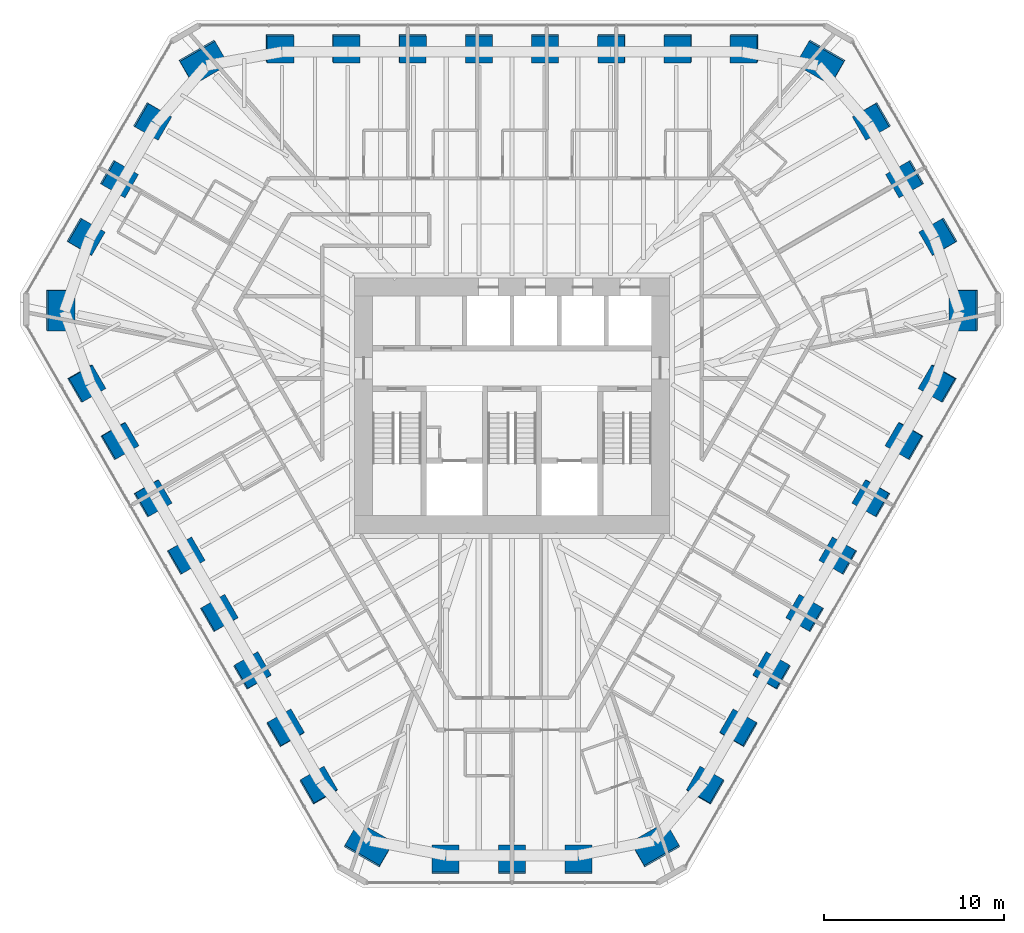
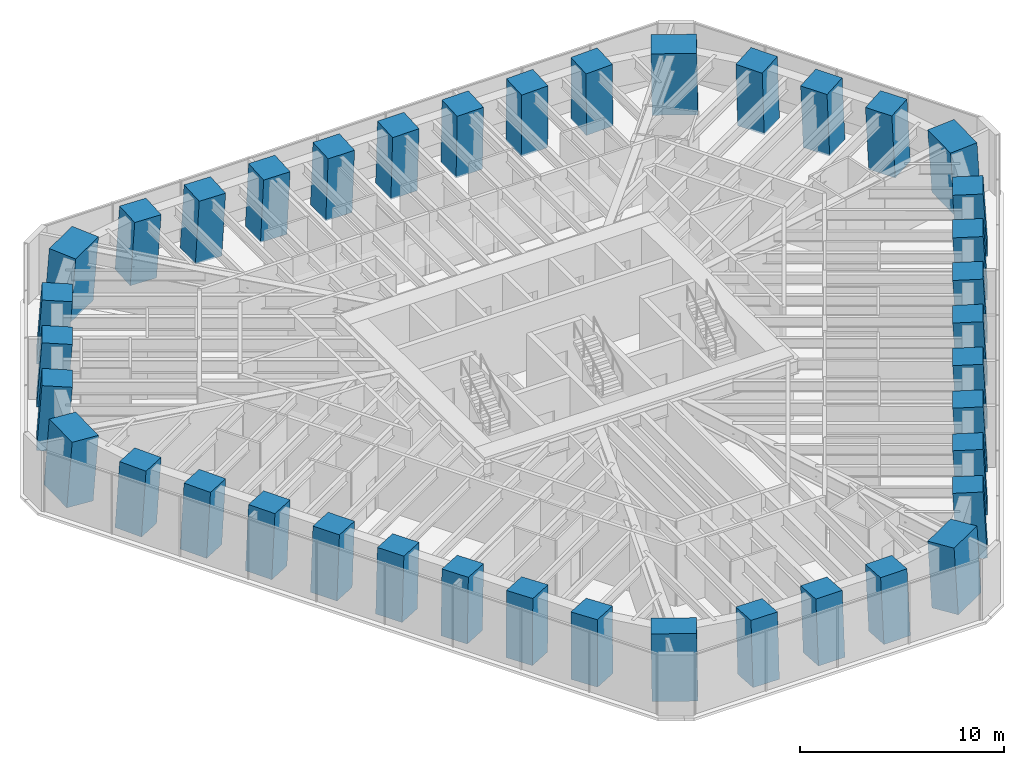
# One storey, part 1 of 17: 39 columns.
"""IFC4 building model written with IfcOpenShell, lengths in metres."""

from ifc_helpers import new_model, si_unit, direction, frame, origin, origin_2d, place, context, subcontext, project, spatial, rectangle, extrude, material, material_profile, profile_set, type_object, element, save


model = new_model("IFC4")

# Units and contexts
model_context = context("Model", 3, precision=1e-05, world=origin(), true_north=direction((0.0, 1.0)))
body_context = subcontext(model_context, "Body", "Model", "MODEL_VIEW")
ifc_project = project(units=[si_unit("LENGTHUNIT", "METRE"), si_unit("AREAUNIT", "SQUARE_METRE"), si_unit("VOLUMEUNIT", "CUBIC_METRE"), si_unit("PLANEANGLEUNIT", "RADIAN"), si_unit("MASSUNIT", "GRAM", prefix="KILO")], contexts=[model_context])

# Site, building, storey
site_placement = place(None, origin())
site = spatial("IfcSite", under=ifc_project, at=site_placement, CompositionType="ELEMENT")
building_placement = place(site_placement, origin())
building = spatial("IfcBuilding", under=site, at=building_placement, Name="Sandreach Pilgrim Tower", CompositionType="ELEMENT")
storey_placement = place(building_placement, frame((0.0, 0.0, 232.60009765625)))
storey = spatial("IfcBuildingStorey", under=building, at=storey_placement, Name="L58", CompositionType="ELEMENT", Elevation=232.60009765625)

# Columns
ifc_material_1 = material(Name="Concrete 10000 psi", Category="concrete")
ifc_material_profile_1 = material_profile(ifc_material_1, rectangle(XDim=1.5, YDim=1.5, at=origin_2d()), Name="RC1500X1500")
ifc_profile_set_1 = profile_set([ifc_material_profile_1], Name="Concrete 10000 psi")
column_type_1 = type_object("IfcColumnType", Name="Raked tube column RC1500X1500", PredefinedType="COLUMN", material=ifc_profile_set_1)
column_1_placement = place(storey_placement, frame((-12.923828125, 19.900146484375, -0.067626953125), z_axis=(0.035465370418, -0.05455241702, 0.997880875304), x_axis=(0.001454113511, 0.998510791345, 0.054535173247)))
element("IfcColumn", 1, at=column_1_placement, inside=storey, type_object=column_type_1, Name="COL L58 T01", PredefinedType="COLUMN", context=body_context, shape_type="SweptSolid", body=[
    extrude(rectangle(XDim=1.5, YDim=1.5, at=origin_2d()), origin(), (0.0, 0.0, 1.0), 3.875732421875),
])
column_2_placement = place(storey_placement, frame((-9.231201171875, 19.900146484375, -0.06005859375), z_axis=(0.025317785915, -0.054550042471, 0.998190013265), x_axis=(0.001183738063, 0.998511018064, 0.054537561078)))
element("IfcColumn", 2, at=column_2_placement, inside=storey, type_object=column_type_1, Name="COL L58 T02", PredefinedType="COLUMN", context=body_context, shape_type="SweptSolid", body=[
    extrude(rectangle(XDim=1.5, YDim=1.5, at=origin_2d()), origin(), (0.0, 0.0, 1.0), 3.866943359375),
])
column_3_placement = place(storey_placement, frame((-5.538818359375, 19.900146484375, -0.052490234375), z_axis=(0.015185639925, -0.05460503023, 0.998392551562), x_axis=(0.001041133869, 0.998508010187, 0.054595509263)))
element("IfcColumn", 3, at=column_3_placement, inside=storey, type_object=column_type_1, Name="COL L58 T03", PredefinedType="COLUMN", context=body_context, shape_type="SweptSolid", body=[
    extrude(rectangle(XDim=1.5, YDim=1.5, at=origin_2d()), origin(), (0.0, 0.0, 1.0), 3.8583984375),
])
for number, where, z_axis, x_axis, name in (
    (4, (-1.84619140625, 19.900146484375, -0.044921875), (0.005072369293, -0.054591374514, 0.998495895284), (0.000138637847, 0.998508769442, 0.054591374109), "COL L58 T04"),
    (5, (1.84619140625, 19.900146484375, -0.044921875), (-0.005072369293, -0.054591374514, 0.998495895284), (-0.000138637847, 0.998508769442, 0.054591374109), "COL L58 T05"),
):
    element("IfcColumn", number, at=place(storey_placement, frame(where, z_axis=z_axis, x_axis=x_axis)), inside=storey, type_object=column_type_1, Name=name, PredefinedType="COLUMN", context=body_context, shape_type="SweptSolid", body=[
        extrude(rectangle(XDim=1.5, YDim=1.5, at=origin_2d()), origin(), (0.0, 0.0, 1.0), 3.8505859375),
    ])
column_4_placement = place(storey_placement, frame((5.538818359375, 19.900146484375, -0.052490234375), z_axis=(-0.015185639925, -0.05460503023, 0.998392551562), x_axis=(-0.001041133869, 0.998508010187, 0.054595509263)))
element("IfcColumn", 6, at=column_4_placement, inside=storey, type_object=column_type_1, Name="COL L58 T06", PredefinedType="COLUMN", context=body_context, shape_type="SweptSolid", body=[
    extrude(rectangle(XDim=1.5, YDim=1.5, at=origin_2d()), origin(), (0.0, 0.0, 1.0), 3.8583984375),
])
column_5_placement = place(storey_placement, frame((9.231201171875, 19.900146484375, -0.06005859375), z_axis=(-0.025317785915, -0.054550042471, 0.998190013265), x_axis=(-0.001183738063, 0.998511018064, 0.054537561078)))
element("IfcColumn", 7, at=column_5_placement, inside=storey, type_object=column_type_1, Name="COL L58 T07", PredefinedType="COLUMN", context=body_context, shape_type="SweptSolid", body=[
    extrude(rectangle(XDim=1.5, YDim=1.5, at=origin_2d()), origin(), (0.0, 0.0, 1.0), 3.866943359375),
])
column_6_placement = place(storey_placement, frame((12.923828125, 19.900146484375, -0.067626953125), z_axis=(-0.035465370418, -0.05455241702, 0.997880875304), x_axis=(-0.001454113511, 0.998510791345, 0.054535173247)))
element("IfcColumn", 8, at=column_6_placement, inside=storey, type_object=column_type_1, Name="COL L58 T08", PredefinedType="COLUMN", context=body_context, shape_type="SweptSolid", body=[
    extrude(rectangle(XDim=1.5, YDim=1.5, at=origin_2d()), origin(), (0.0, 0.0, 1.0), 3.875732421875),
])
column_7_placement = place(storey_placement, frame((20.025146484375, 15.845947265625, -0.058837890625), z_axis=(-0.054031269339, -0.042795795107, 0.997621742874), x_axis=(0.86412054036, 0.498643763079, 0.068191563044)))
element("IfcColumn", 9, at=column_7_placement, inside=storey, type_object=column_type_1, Name="COL L58 T10", PredefinedType="COLUMN", context=body_context, shape_type="SweptSolid", body=[
    extrude(rectangle(XDim=1.5, YDim=1.5, at=origin_2d()), origin(), (0.0, 0.0, 1.0), 3.867919921875),
])
column_8_placement = place(storey_placement, frame((21.88037109375, 12.632568359375, -0.05126953125), z_axis=(-0.059073478929, -0.034090583664, 0.99767136683), x_axis=(0.86410694155, 0.498665569053, 0.068204426596)))
element("IfcColumn", 10, at=column_8_placement, inside=storey, type_object=column_type_1, Name="COL L58 T11", PredefinedType="COLUMN", context=body_context, shape_type="SweptSolid", body=[
    extrude(rectangle(XDim=1.5, YDim=1.5, at=origin_2d()), origin(), (0.0, 0.0, 1.0), 3.860107421875),
])
column_9_placement = place(storey_placement, frame((23.7353515625, 9.419189453125, -0.058837890625), z_axis=(-0.064004664797, -0.025374630423, 0.997626949824), x_axis=(0.863841955807, 0.499136409128, 0.068116961699)))
element("IfcColumn", 11, at=column_9_placement, inside=storey, type_object=column_type_1, Name="COL L58 T12", PredefinedType="COLUMN", context=body_context, shape_type="SweptSolid", body=[
    extrude(rectangle(XDim=1.5, YDim=1.5, at=origin_2d()), origin(), (0.0, 0.0, 1.0), 3.867919921875),
])
column_10_placement = place(storey_placement, frame((23.69580078125, 1.2421875, -0.067626953125), z_axis=(-0.064946488334, -0.003401658943, 0.997882950235), x_axis=(0.86374544839, -0.500971680077, 0.05450849609)))
element("IfcColumn", 12, at=column_10_placement, inside=storey, type_object=column_type_1, Name="COL L58 T14", PredefinedType="COLUMN", context=body_context, shape_type="SweptSolid", body=[
    extrude(rectangle(XDim=1.5, YDim=1.5, at=origin_2d()), origin(), (0.0, 0.0, 1.0), 3.875732421875),
])
column_11_placement = place(storey_placement, frame((21.849609375, -1.95556640625, -0.06005859375), z_axis=(-0.059916592272, 0.005366607316, 0.998188960817), x_axis=(0.864010481445, -0.500509554821, 0.054553400319)))
element("IfcColumn", 13, at=column_11_placement, inside=storey, type_object=column_type_1, Name="COL L58 T15", PredefinedType="COLUMN", context=body_context, shape_type="SweptSolid", body=[
    extrude(rectangle(XDim=1.5, YDim=1.5, at=origin_2d()), origin(), (0.0, 0.0, 1.0), 3.866943359375),
])
column_12_placement = place(storey_placement, frame((20.00341796875, -5.1533203125, -0.052490234375), z_axis=(-0.054858228661, 0.014110017291, 0.998394452188), x_axis=(0.86451511653, -0.499636332881, 0.054563249145)))
element("IfcColumn", 14, at=column_12_placement, inside=storey, type_object=column_type_1, Name="COL L58 T16", PredefinedType="COLUMN", context=body_context, shape_type="SweptSolid", body=[
    extrude(rectangle(XDim=1.5, YDim=1.5, at=origin_2d()), origin(), (0.0, 0.0, 1.0), 3.8583984375),
])
for number, where, z_axis, x_axis, name in (
    (15, (18.1572265625, -8.35107421875, -0.044921875), (-0.049835988633, 0.022889048214, 0.998495100493), (0.864863117686, -0.499029053197, 0.054605784779), "COL L58 T17"),
    (16, (16.310791015625, -11.548828125, -0.044921875), (-0.04470040669, 0.03163901126, 0.99849929725), (0.864958405461, -0.498872202327, 0.054529648515), "COL L58 T18"),
):
    element("IfcColumn", number, at=place(storey_placement, frame(where, z_axis=z_axis, x_axis=x_axis)), inside=storey, type_object=column_type_1, Name=name, PredefinedType="COLUMN", context=body_context, shape_type="SweptSolid", body=[
        extrude(rectangle(XDim=1.5, YDim=1.5, at=origin_2d()), origin(), (0.0, 0.0, 1.0), 3.8505859375),
    ])
column_13_placement = place(storey_placement, frame((14.464599609375, -14.746826171875, -0.052490234375), z_axis=(-0.039672557286, 0.040431840679, 0.998394388234), x_axis=(0.865239094384, -0.498381423107, 0.054564334973)))
element("IfcColumn", 17, at=column_13_placement, inside=storey, type_object=column_type_1, Name="COL L58 T19", PredefinedType="COLUMN", context=body_context, shape_type="SweptSolid", body=[
    extrude(rectangle(XDim=1.5, YDim=1.5, at=origin_2d()), origin(), (0.0, 0.0, 1.0), 3.8583984375),
])
column_14_placement = place(storey_placement, frame((12.618408203125, -17.944580078125, -0.06005859375), z_axis=(-0.034598880012, 0.049183444396, 0.998190315671), x_axis=(0.865519675904, -0.497897420706, 0.054533009053)))
element("IfcColumn", 18, at=column_14_placement, inside=storey, type_object=column_type_1, Name="COL L58 T20", PredefinedType="COLUMN", context=body_context, shape_type="SweptSolid", body=[
    extrude(rectangle(XDim=1.5, YDim=1.5, at=origin_2d()), origin(), (0.0, 0.0, 1.0), 3.866943359375),
])
column_15_placement = place(storey_placement, frame((10.772216796875, -21.142333984375, -0.067626953125), z_axis=(-0.029544009484, 0.057954133742, 0.997881991964), x_axis=(0.86581251094, -0.497389360855, 0.054520818106)))
element("IfcColumn", 19, at=column_15_placement, inside=storey, type_object=column_type_1, Name="COL L58 T21", PredefinedType="COLUMN", context=body_context, shape_type="SweptSolid", body=[
    extrude(rectangle(XDim=1.5, YDim=1.5, at=origin_2d()), origin(), (0.0, 0.0, 1.0), 3.875732421875),
])
column_16_placement = place(storey_placement, frame((3.71044921875, -25.26513671875, -0.058837890625), z_axis=(-0.010036196813, 0.068170393449, 0.997623211544), x_axis=(-0.000328953471, -0.99767362936, 0.068170529333)))
element("IfcColumn", 20, at=column_16_placement, inside=storey, type_object=column_type_1, Name="COL L58 T23", PredefinedType="COLUMN", context=body_context, shape_type="SweptSolid", body=[
    extrude(rectangle(XDim=1.5, YDim=1.5, at=origin_2d()), origin(), (0.0, 0.0, 1.0), 3.867919921875),
])
column_17_placement = place(storey_placement, frame((0.0, -25.26513671875, -0.05126953125), z_axis=(0.0, 0.068181275472, 0.997672949255), x_axis=(0.0, -0.997672949255, 0.068181275472)))
element("IfcColumn", 21, at=column_17_placement, inside=storey, type_object=column_type_1, Name="COL L58 T24", PredefinedType="COLUMN", context=body_context, shape_type="SweptSolid", body=[
    extrude(rectangle(XDim=1.5, YDim=1.5, at=origin_2d()), origin(), (0.0, 0.0, 1.0), 3.860107421875),
])
column_18_placement = place(storey_placement, frame((-3.71044921875, -25.26513671875, -0.058837890625), z_axis=(0.010036196813, 0.068170393449, 0.997623211544), x_axis=(0.000328953471, -0.99767362936, 0.068170529333)))
element("IfcColumn", 22, at=column_18_placement, inside=storey, type_object=column_type_1, Name="COL L58 T25", PredefinedType="COLUMN", context=body_context, shape_type="SweptSolid", body=[
    extrude(rectangle(XDim=1.5, YDim=1.5, at=origin_2d()), origin(), (0.0, 0.0, 1.0), 3.867919921875),
])
column_19_placement = place(storey_placement, frame((-10.772216796875, -21.142333984375, -0.067626953125), z_axis=(0.029544009484, 0.057954133742, 0.997881991964), x_axis=(-0.86581251094, -0.497389360855, 0.054520818106)))
element("IfcColumn", 23, at=column_19_placement, inside=storey, type_object=column_type_1, Name="COL L58 T27", PredefinedType="COLUMN", context=body_context, shape_type="SweptSolid", body=[
    extrude(rectangle(XDim=1.5, YDim=1.5, at=origin_2d()), origin(), (0.0, 0.0, 1.0), 3.875732421875),
])
column_20_placement = place(storey_placement, frame((-12.618408203125, -17.944580078125, -0.06005859375), z_axis=(0.034598880012, 0.049183444396, 0.998190315671), x_axis=(-0.865519675904, -0.497897420706, 0.054533009053)))
element("IfcColumn", 24, at=column_20_placement, inside=storey, type_object=column_type_1, Name="COL L58 T28", PredefinedType="COLUMN", context=body_context, shape_type="SweptSolid", body=[
    extrude(rectangle(XDim=1.5, YDim=1.5, at=origin_2d()), origin(), (0.0, 0.0, 1.0), 3.866943359375),
])
column_21_placement = place(storey_placement, frame((-14.464599609375, -14.746826171875, -0.052490234375), z_axis=(0.039672557286, 0.040431840679, 0.998394388234), x_axis=(-0.865239094384, -0.498381423107, 0.054564334973)))
element("IfcColumn", 25, at=column_21_placement, inside=storey, type_object=column_type_1, Name="COL L58 T29", PredefinedType="COLUMN", context=body_context, shape_type="SweptSolid", body=[
    extrude(rectangle(XDim=1.5, YDim=1.5, at=origin_2d()), origin(), (0.0, 0.0, 1.0), 3.8583984375),
])
for number, where, z_axis, x_axis, name in (
    (26, (-16.310791015625, -11.548828125, -0.044921875), (0.04470040669, 0.03163901126, 0.99849929725), (-0.864958405461, -0.498872202327, 0.054529648515), "COL L58 T30"),
    (27, (-18.1572265625, -8.35107421875, -0.044921875), (0.049835988633, 0.022889048214, 0.998495100493), (-0.864863117686, -0.499029053197, 0.054605784779), "COL L58 T31"),
):
    element("IfcColumn", number, at=place(storey_placement, frame(where, z_axis=z_axis, x_axis=x_axis)), inside=storey, type_object=column_type_1, Name=name, PredefinedType="COLUMN", context=body_context, shape_type="SweptSolid", body=[
        extrude(rectangle(XDim=1.5, YDim=1.5, at=origin_2d()), origin(), (0.0, 0.0, 1.0), 3.8505859375),
    ])
column_22_placement = place(storey_placement, frame((-20.00341796875, -5.1533203125, -0.052490234375), z_axis=(0.054858228661, 0.014110017291, 0.998394452188), x_axis=(-0.86451511653, -0.499636332881, 0.054563249145)))
element("IfcColumn", 28, at=column_22_placement, inside=storey, type_object=column_type_1, Name="COL L58 T32", PredefinedType="COLUMN", context=body_context, shape_type="SweptSolid", body=[
    extrude(rectangle(XDim=1.5, YDim=1.5, at=origin_2d()), origin(), (0.0, 0.0, 1.0), 3.8583984375),
])
column_23_placement = place(storey_placement, frame((-21.849609375, -1.95556640625, -0.06005859375), z_axis=(0.059916592272, 0.005366607316, 0.998188960817), x_axis=(-0.864010481445, -0.500509554821, 0.054553400319)))
element("IfcColumn", 29, at=column_23_placement, inside=storey, type_object=column_type_1, Name="COL L58 T33", PredefinedType="COLUMN", context=body_context, shape_type="SweptSolid", body=[
    extrude(rectangle(XDim=1.5, YDim=1.5, at=origin_2d()), origin(), (0.0, 0.0, 1.0), 3.866943359375),
])
column_24_placement = place(storey_placement, frame((-23.69580078125, 1.2421875, -0.067626953125), z_axis=(0.064946488334, -0.003401658943, 0.997882950235), x_axis=(-0.86374544839, -0.500971680077, 0.05450849609)))
element("IfcColumn", 30, at=column_24_placement, inside=storey, type_object=column_type_1, Name="COL L58 T34", PredefinedType="COLUMN", context=body_context, shape_type="SweptSolid", body=[
    extrude(rectangle(XDim=1.5, YDim=1.5, at=origin_2d()), origin(), (0.0, 0.0, 1.0), 3.875732421875),
])
column_25_placement = place(storey_placement, frame((-23.7353515625, 9.419189453125, -0.058837890625), z_axis=(0.064004664797, -0.025374630423, 0.997626949824), x_axis=(-0.863841955807, 0.499136409128, 0.068116961699)))
element("IfcColumn", 31, at=column_25_placement, inside=storey, type_object=column_type_1, Name="COL L58 T36", PredefinedType="COLUMN", context=body_context, shape_type="SweptSolid", body=[
    extrude(rectangle(XDim=1.5, YDim=1.5, at=origin_2d()), origin(), (0.0, 0.0, 1.0), 3.867919921875),
])
column_26_placement = place(storey_placement, frame((-21.88037109375, 12.632568359375, -0.05126953125), z_axis=(0.059073478929, -0.034090583664, 0.99767136683), x_axis=(-0.86410694155, 0.498665569053, 0.068204426596)))
element("IfcColumn", 32, at=column_26_placement, inside=storey, type_object=column_type_1, Name="COL L58 T37", PredefinedType="COLUMN", context=body_context, shape_type="SweptSolid", body=[
    extrude(rectangle(XDim=1.5, YDim=1.5, at=origin_2d()), origin(), (0.0, 0.0, 1.0), 3.860107421875),
])
column_27_placement = place(storey_placement, frame((-20.025146484375, 15.845947265625, -0.058837890625), z_axis=(0.054031269339, -0.042795795107, 0.997621742874), x_axis=(-0.86412054036, 0.498643763079, 0.068191563044)))
element("IfcColumn", 33, at=column_27_placement, inside=storey, type_object=column_type_1, Name="COL L58 T38", PredefinedType="COLUMN", context=body_context, shape_type="SweptSolid", body=[
    extrude(rectangle(XDim=1.5, YDim=1.5, at=origin_2d()), origin(), (0.0, 0.0, 1.0), 3.867919921875),
])
ifc_material_2 = material(Name="Concrete 10000 psi", Category="concrete")
ifc_material_profile_2 = material_profile(ifc_material_2, rectangle(XDim=1.5, YDim=2.25, at=origin_2d()), Name="RC1500X2250")
ifc_profile_set_2 = profile_set([ifc_material_profile_2], Name="Concrete 10000 psi")
column_type_2 = type_object("IfcColumnType", Name="Raked tube corner pier RC1500X2250", PredefinedType="COLUMN", material=ifc_profile_set_2)
for number, where, z_axis, x_axis, name in (
    (34, (17.177978515625, 19.130615234375, -0.06884765625), (-0.047462720367, -0.052876240197, 0.997472502577), (0.497750920441, 0.864529877343, 0.069513397134), "COL L58 T09"),
    (35, (25.156494140625, 5.311279296875, -0.06884765625), (-0.069494626315, -0.014666891242, 0.997474500534), (0.997582322762, -0.001100831088, 0.069485951703), "COL L58 T13"),
    (36, (7.978515625, -24.44189453125, -0.06884765625), (-0.022031779276, 0.067543140467, 0.997473069751), (0.499490056896, -0.86352686909, 0.069505607122), "COL L58 T22"),
    (37, (-7.978515625, -24.44189453125, -0.06884765625), (0.022031779276, 0.067543140467, 0.997473069751), (-0.499490056896, -0.86352686909, 0.069505607122), "COL L58 T26"),
    (38, (-25.156494140625, 5.311279296875, -0.06884765625), (0.069494626315, -0.014666891242, 0.997474500534), (-0.997582322762, -0.001100831088, 0.069485951703), "COL L58 T35"),
    (39, (-17.177978515625, 19.130615234375, -0.06884765625), (0.047462720367, -0.052876240197, 0.997472502577), (-0.497750920441, 0.864529877343, 0.069513397134), "COL L58 T39"),
):
    element("IfcColumn", number, at=place(storey_placement, frame(where, z_axis=z_axis, x_axis=x_axis)), inside=storey, type_object=column_type_2, Name=name, PredefinedType="COLUMN", context=body_context, shape_type="SweptSolid", body=[
        extrude(rectangle(XDim=1.5, YDim=2.25, at=origin_2d()), origin(), (0.0, 0.0, 1.0), 3.87841796875),
    ])

save(model, "model.ifc")
